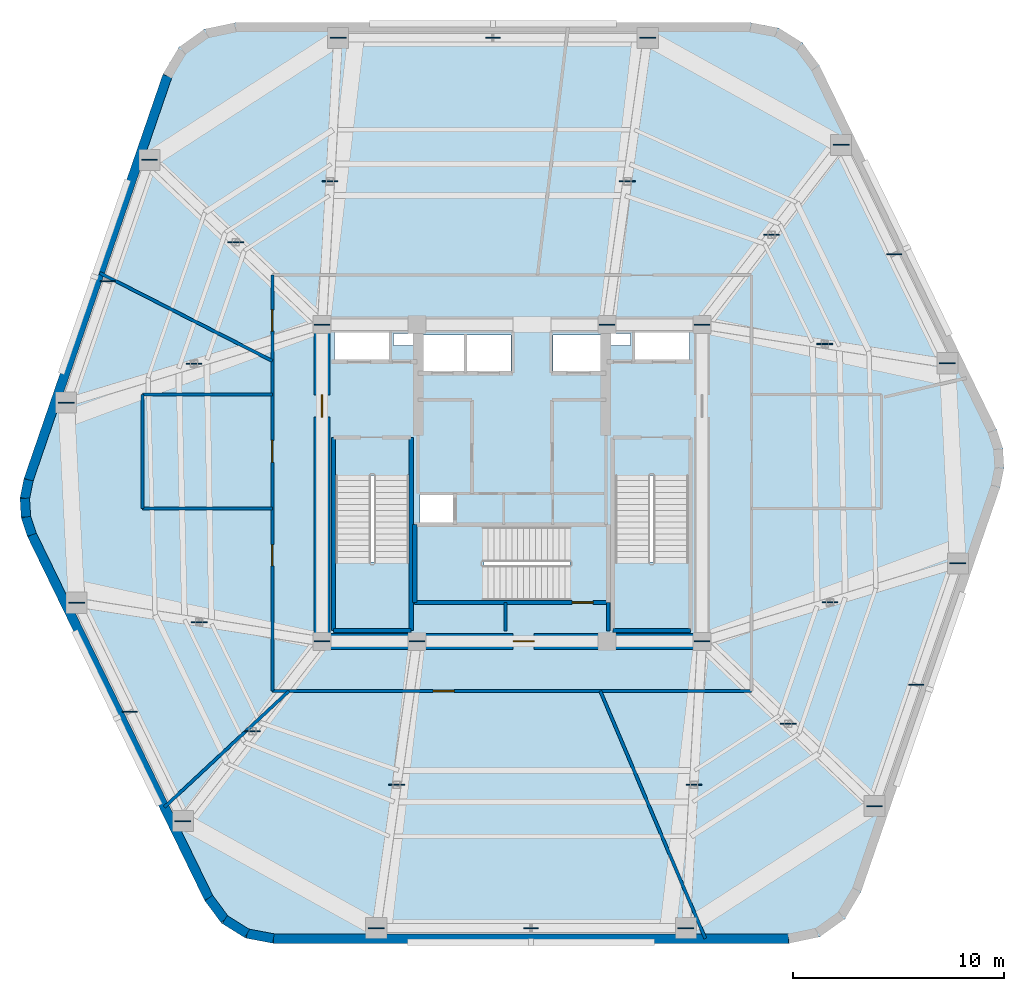
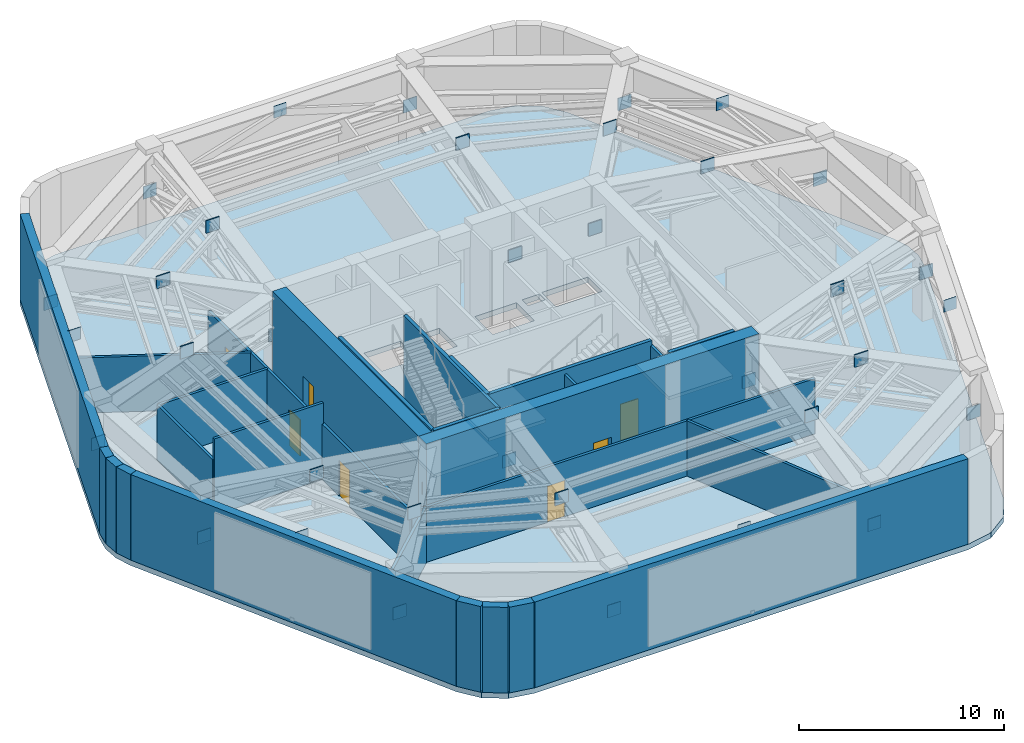
# One storey, part 5 of 10: 36 plates, 27 walls, 7 doors, 4 slabs, 7 openings, 3 elements without a shape of their own.
"""IFC4 building model written with IfcOpenShell, lengths in metres."""

import ifcopenshell
import ifcopenshell.guid

model = None  # the IFC model being written
_history = None  # IfcOwnerHistory: only IFC2X3 demands one
_inside = {}  # id of a spatial element -> (the spatial element, [elements in it])
_under = {}  # id of a project, library or spatial element -> (it, [spatial elements below it])
_declared = {}  # id of a project -> (the project, [libraries it declares])
_typed = {}  # id of a type object -> (the type object, [elements of that type])
_made_of = {}  # id of a material, layer set ... -> (it, [elements and type objects made of it])


def new_model(schema):
    """Start an empty IFC model of exactly this schema.

    Asked for "IFC4X3", IfcOpenShell would pick the latest addendum, in which some entities
    have other attributes; the version numbers below select the first issue.
    IFC2X3 requires an IfcOwnerHistory on every rooted entity: one is made here for all.
    """
    global model, _history
    if schema == "IFC4X3":
        model = ifcopenshell.file(schema_version=(4, 3, 0, 0))
    else:
        model = ifcopenshell.file(schema=schema)
    _inside.clear()
    _under.clear()
    _declared.clear()
    _typed.clear()
    _made_of.clear()
    _history = None
    if model.schema == "IFC2X3":
        org = make("IfcOrganization", Name="unknown")
        user = make(
            "IfcPersonAndOrganization",
            ThePerson=make("IfcPerson", FamilyName="unknown"),
            TheOrganization=org,
        )
        app = make(
            "IfcApplication",
            ApplicationDeveloper=org,
            Version="unknown",
            ApplicationFullName="unknown",
            ApplicationIdentifier="unknown",
        )
        _history = make(
            "IfcOwnerHistory",
            OwningUser=user,
            OwningApplication=app,
            ChangeAction="ADDED",
            CreationDate=0,
        )
    return model


def make(cls, **values):
    """One entity of the class cls with the attributes given. An attribute that is None is left unset."""
    return model.create_entity(
        cls, **{name: value for name, value in values.items() if value is not None}
    )


def rooted(cls, **values):
    """An entity with a GlobalId (a new one), such as an element, a storey or a relation."""
    return make(cls, GlobalId=ifcopenshell.guid.new(), OwnerHistory=_history, **values)


def si_unit(unit_type, name, prefix=None):
    """IfcSIUnit, for example si_unit("LENGTHUNIT", "METRE", prefix="MILLI")."""
    return make("IfcSIUnit", UnitType=unit_type, Prefix=prefix, Name=name)


def assignment(units):
    """IfcUnitAssignment: the units of a project."""
    return None if units is None else make("IfcUnitAssignment", Units=units)


def point(xyz):
    """IfcCartesianPoint."""
    return None if xyz is None else make("IfcCartesianPoint", Coordinates=xyz)


def direction(xyz):
    """IfcDirection."""
    return None if xyz is None else make("IfcDirection", DirectionRatios=xyz)


def frame(location, z_axis=None, x_axis=None):
    """IfcAxis2Placement3D, a coordinate frame: its origin and axes. An axis left out is left unset."""
    return make(
        "IfcAxis2Placement3D",
        Location=point(location),
        Axis=direction(z_axis),
        RefDirection=direction(x_axis),
    )


def frame_2d(location, x_axis=None):
    """IfcAxis2Placement2D, a coordinate frame in the plane: its origin and x axis."""
    return make(
        "IfcAxis2Placement2D", Location=point(location), RefDirection=direction(x_axis)
    )


def origin():
    """The frame at (0, 0, 0) with its axes left unset."""
    return frame((0.0, 0.0, 0.0))


def origin_2d():
    """The frame at (0, 0) in the plane with its x axis left unset."""
    return frame_2d((0.0, 0.0))


def place(relative_to, where):
    """IfcLocalPlacement: puts the frame where relative to a parent placement (None: the world)."""
    return make(
        "IfcLocalPlacement", PlacementRelTo=relative_to, RelativePlacement=where
    )


def context(
    kind, dimensions, precision=None, world=None, true_north=None, identifier=None
):
    """IfcGeometricRepresentationContext, for example the 3D "Model" context."""
    return make(
        "IfcGeometricRepresentationContext",
        ContextIdentifier=identifier,
        ContextType=kind,
        CoordinateSpaceDimension=dimensions,
        Precision=precision,
        WorldCoordinateSystem=world,
        TrueNorth=true_north,
    )


def subcontext(parent, identifier, kind, view, scale=None):
    """IfcGeometricRepresentationSubContext, for example "Body" below "Model"."""
    return make(
        "IfcGeometricRepresentationSubContext",
        ContextIdentifier=identifier,
        ContextType=kind,
        ParentContext=parent,
        TargetScale=scale,
        TargetView=view,
    )


def project(units=None, contexts=None):
    """IfcProject with its units and contexts."""
    return rooted(
        "IfcProject",
        Name="project",
        RepresentationContexts=contexts,
        UnitsInContext=assignment(units),
    )


def spatial(cls, under=None, at=None, **own):
    """A site, building, storey or space (cls), placed at a placement, below another one or the project."""
    s = rooted(cls, ObjectPlacement=at, **own)
    if under is not None:
        _under.setdefault(under.id(), (under, []))[1].append(s)
    return s


def polyline(points):
    """IfcPolyline through the points."""
    return make("IfcPolyline", Points=[point(p) for p in points])


def profile(cls, at=None, kind="AREA", **sizes):
    """A parametric profile (cls). Its sizes go by their IFC names, for example OverallWidth=200.0."""
    return make(cls, ProfileType=kind, Position=at, **sizes)


def rectangle(**sizes):
    """IfcRectangleProfileDef."""
    return profile("IfcRectangleProfileDef", **sizes)


def outline(outer, holes=None, kind="AREA"):
    """IfcArbitraryClosedProfileDef: a profile drawn as a closed curve; with holes, ...WithVoids."""
    if holes is None:
        return make("IfcArbitraryClosedProfileDef", ProfileType=kind, OuterCurve=outer)
    return make(
        "IfcArbitraryProfileDefWithVoids",
        ProfileType=kind,
        OuterCurve=outer,
        InnerCurves=holes,
    )


def extrude(swept, where, along, depth):
    """IfcExtrudedAreaSolid: the profile swept, set in the frame where, extruded along a direction by depth."""
    return make(
        "IfcExtrudedAreaSolid",
        SweptArea=swept,
        Position=where,
        ExtrudedDirection=direction(along),
        Depth=depth,
    )


def shape(context_of_items, identifier, shape_type, items):
    """IfcShapeRepresentation: the items that make up one representation, for example the "Body"."""
    return make(
        "IfcShapeRepresentation",
        ContextOfItems=context_of_items,
        RepresentationIdentifier=identifier,
        RepresentationType=shape_type,
        Items=items,
    )


def material(Name=None, Category=None):
    """IfcMaterial."""
    return make("IfcMaterial", Name=Name, Category=Category)


def layer(
    of_material, thickness, ventilated=None, Name=None, Category=None, Priority=None
):
    """IfcMaterialLayer: one layer of a wall or slab, of a material (None: an air gap)."""
    return make(
        "IfcMaterialLayer",
        Material=of_material,
        LayerThickness=thickness,
        IsVentilated=ventilated,
        Name=Name,
        Category=Category,
        Priority=Priority,
    )


def layer_set(layers, Name=None):
    """IfcMaterialLayerSet."""
    return make("IfcMaterialLayerSet", MaterialLayers=layers, LayerSetName=Name)


def made_of(thing, what):
    """Note that an element or type object is made of a material, layer set ...; save() writes the relation."""
    if what is not None:
        _made_of.setdefault(what.id(), (what, []))[1].append(thing)
    return thing


def type_object(cls, material=None, **own):
    """A type object (cls), such as IfcWallType, which elements share."""
    return made_of(rooted(cls, **own), material)


def element(
    cls,
    number,
    at=None,
    inside=None,
    cuts=None,
    type_object=None,
    material=None,
    context=None,
    identifier="Body",
    shape_type=None,
    held_by="IfcProductDefinitionShape",
    body=None,
    shapes=None,
    **own,
):
    """One element of the class cls, such as IfcWall. Its Tag is "e" and its number.

    at: its placement. inside: the storey or other place that contains it. cuts: it is an
    opening in that element (IfcRelVoidsElement). A single representation is given by context,
    identifier, shape_type and body (its items); several are given by shapes. held_by: the class
    of the entity that holds the representations. save() writes the other relations.
    """
    e = rooted(cls, Tag="e%d" % number, ObjectPlacement=at, **own)
    if body is not None:
        shapes = [shape(context, identifier, shape_type, body)]
    if shapes is not None:
        e.Representation = make(held_by, Representations=shapes)
    if inside is not None:
        _inside.setdefault(inside.id(), (inside, []))[1].append(e)
    if cuts is not None:
        rooted(
            "IfcRelVoidsElement", RelatingBuildingElement=cuts, RelatedOpeningElement=e
        )
    if type_object is not None:
        _typed.setdefault(type_object.id(), (type_object, []))[1].append(e)
    return made_of(e, material)


def fill(opening, filler):
    """IfcRelFillsElement: the door or window that sits in an opening."""
    return rooted(
        "IfcRelFillsElement",
        RelatingOpeningElement=opening,
        RelatedBuildingElement=filler,
    )


def aggregate(whole, parts):
    """IfcRelAggregates: a whole, such as a stair, and the parts it consists of."""
    return rooted("IfcRelAggregates", RelatingObject=whole, RelatedObjects=parts)


def save(model, path):
    """Write the relations noted so far, then the file.

    IfcRelAggregates (storeys below a building ...), IfcRelContainedInSpatialStructure (elements
    in a storey), IfcRelDefinesByType, IfcRelAssociatesMaterial and IfcRelDeclares: one each for
    every whole, place, type object, material and project.
    """
    for whole, parts in _under.values():
        aggregate(whole, parts)
    for where, things in _inside.values():
        rooted(
            "IfcRelContainedInSpatialStructure",
            RelatedElements=things,
            RelatingStructure=where,
        )
    for kind, things in _typed.values():
        rooted("IfcRelDefinesByType", RelatedObjects=things, RelatingType=kind)
    for what, things in _made_of.values():
        rooted("IfcRelAssociatesMaterial", RelatedObjects=things, RelatingMaterial=what)
    for by, libraries in _declared.values():
        rooted("IfcRelDeclares", RelatingContext=by, RelatedDefinitions=libraries)
    model.write(path)


model = new_model("IFC4")

# Units and contexts
model_context = context("Model", 3, precision=1e-05, world=origin(), true_north=direction((0.0, 1.0)))
body_context = subcontext(model_context, "Body", "Model", "MODEL_VIEW")
ifc_project = project(units=[si_unit("LENGTHUNIT", "METRE"), si_unit("AREAUNIT", "SQUARE_METRE"), si_unit("VOLUMEUNIT", "CUBIC_METRE"), si_unit("PLANEANGLEUNIT", "RADIAN"), si_unit("MASSUNIT", "GRAM", prefix="KILO")], contexts=[model_context])

# Site, building, storey
site_placement = place(None, origin())
site = spatial("IfcSite", under=ifc_project, at=site_placement, CompositionType="ELEMENT")
building_placement = place(site_placement, origin())
building = spatial("IfcBuilding", under=site, at=building_placement, Name="Kilnhurst Terrace Hotel", CompositionType="ELEMENT")
storey_placement = place(building_placement, frame((0.0, 0.0, 255.89990234375)))
storey = spatial("IfcBuildingStorey", under=building, at=storey_placement, Name="L64", CompositionType="ELEMENT", Elevation=255.89990234375)

# Plates
ifc_material_1 = material(Name="Steel ASTM A572 Grade 50", Category="steel")
ifc_layer_1 = layer(ifc_material_1, 0.050048828125, Name="Steel ASTM A572 Grade 50")
ifc_layer_set_1 = layer_set([ifc_layer_1], Name="Steel ASTM A572 Grade 50")
plate_type = type_object("IfcPlateType", Name="PLT-GUSSET-50", PredefinedType="USERDEFINED", material=ifc_layer_set_1)
for number, where, z_axis, x_axis, name in (
    (1, (-4.5, -7.5, 2.14501953125), (0.0, 0.0, 1.0), (1.0, 0.0, 0.0), "L64 Outrigger Node Gusset Plate KN-CORE-1"),
    (2, (-5.465087890625, -14.2900390625, 4.375), (0.0, 0.0, 1.0), (1.0, 0.0, 0.0), "L64 Outrigger Node Gusset Plate KN-MID-1"),
    (3, (-6.429931640625, -21.080078125, 2.14501953125), (0.0, 0.0, 1.0), (1.0, 0.0, 0.0), "L64 Outrigger Node Gusset Plate KN-PERIM-1"),
    (4, (9.0, -7.5, 2.14501953125), (0.0, 0.0, 1.0), (1.0, 0.0, 0.0), "L64 Outrigger Node Gusset Plate KN-CORE-2"),
    (5, (8.617919921875, -14.2900390625, 4.375), (0.0, 0.0, 1.0), (1.0, 0.0, 0.0), "L64 Outrigger Node Gusset Plate KN-MID-2"),
    (6, (8.236083984375, -21.080078125, 2.14501953125), (0.0, 0.0, 1.0), (1.0, 0.0, 0.0), "L64 Outrigger Node Gusset Plate KN-PERIM-2"),
    (7, (13.0830078125, -11.402099609375, 4.375), (0.0, 0.0, 1.0), (1.0, 0.0, 0.0), "L64 Outrigger Node Gusset Plate KN-MID-3"),
    (8, (17.166015625, -15.303955078125, 2.14501953125), (0.0, 0.0, 1.0), (1.0, 0.0, 0.0), "L64 Outrigger Node Gusset Plate KN-PERIM-3"),
    (9, (15.05908203125, -5.654052734375, 4.375), (0.0, 0.0, 1.0), (1.0, 0.0, 0.0), "L64 Outrigger Node Gusset Plate KN-MID-4"),
    (10, (21.117919921875, -3.806884765625, 2.14501953125), (0.0, 0.0, 1.0), (1.0, 0.0, 0.0), "L64 Outrigger Node Gusset Plate KN-PERIM-4"),
    (11, (9.0, 7.5, 2.14501953125), (0.0, 0.0, 1.0), (1.0, 0.0, 0.0), "L64 Outrigger Node Gusset Plate KN-CORE-5"),
    (12, (14.81103515625, 6.5849609375, 4.375), (0.0, 0.0, 1.0), (1.0, 0.0, 0.0), "L64 Outrigger Node Gusset Plate KN-MID-5"),
    (13, (20.6220703125, 5.669921875, 2.14501953125), (0.0, 0.0, 1.0), (1.0, 0.0, 0.0), "L64 Outrigger Node Gusset Plate KN-PERIM-5"),
    (14, (12.29296875, 11.757080078125, 4.375), (0.0, 0.0, 1.0), (1.0, 0.0, 0.0), "L64 Outrigger Node Gusset Plate KN-MID-6"),
    (15, (15.5869140625, 16.012939453125, 2.14501953125), (0.0, 0.0, 1.0), (1.0, 0.0, 0.0), "L64 Outrigger Node Gusset Plate KN-PERIM-6"),
    (16, (4.5, 7.5, 2.14501953125), (0.0, 0.0, 1.0), (1.0, 0.0, 0.0), "L64 Outrigger Node Gusset Plate KN-CORE-7"),
    (17, (5.465087890625, 14.2900390625, 4.375), (0.0, 0.0, 1.0), (1.0, 0.0, 0.0), "L64 Outrigger Node Gusset Plate KN-MID-7"),
    (18, (6.429931640625, 21.080078125, 2.14501953125), (0.0, 0.0, 1.0), (1.0, 0.0, 0.0), "L64 Outrigger Node Gusset Plate KN-PERIM-7"),
    (19, (-9.0, 7.5, 2.14501953125), (0.0, 0.0, 1.0), (1.0, 0.0, 0.0), "L64 Outrigger Node Gusset Plate KN-CORE-8"),
    (20, (-8.617919921875, 14.2900390625, 4.375), (0.0, 0.0, 1.0), (1.0, 0.0, 0.0), "L64 Outrigger Node Gusset Plate KN-MID-8"),
    (21, (-8.236083984375, 21.080078125, 2.14501953125), (0.0, 0.0, 1.0), (1.0, 0.0, 0.0), "L64 Outrigger Node Gusset Plate KN-PERIM-8"),
    (22, (-13.0830078125, 11.402099609375, 4.375), (0.0, 0.0, 1.0), (1.0, 0.0, 0.0), "L64 Outrigger Node Gusset Plate KN-MID-9"),
    (23, (-17.166015625, 15.303955078125, 2.14501953125), (0.0, 0.0, 1.0), (1.0, 0.0, 0.0), "L64 Outrigger Node Gusset Plate KN-PERIM-9"),
    (24, (-15.05908203125, 5.654052734375, 4.375), (0.0, 0.0, 1.0), (1.0, 0.0, 0.0), "L64 Outrigger Node Gusset Plate KN-MID-10"),
    (25, (-21.117919921875, 3.806884765625, 2.14501953125), (0.0, 0.0, 1.0), (1.0, 0.0, 0.0), "L64 Outrigger Node Gusset Plate KN-PERIM-10"),
    (26, (-9.0, -7.5, 2.14501953125), (0.0, 0.0, 1.0), (1.0, 0.0, 0.0), "L64 Outrigger Node Gusset Plate KN-CORE-11"),
    (27, (-14.81103515625, -6.5849609375, 4.375), (0.0, 0.0, 1.0), (1.0, 0.0, 0.0), "L64 Outrigger Node Gusset Plate KN-MID-11"),
    (28, (-20.6220703125, -5.669921875, 2.14501953125), (0.0, 0.0, 1.0), (1.0, 0.0, 0.0), "L64 Outrigger Node Gusset Plate KN-PERIM-11"),
    (29, (-12.29296875, -11.757080078125, 4.375), (0.0, 0.0, 1.0), (1.0, 0.0, 0.0), "L64 Outrigger Node Gusset Plate KN-MID-12"),
    (30, (-15.5869140625, -16.012939453125, 2.14501953125), (0.0, 0.0, 1.0), (1.0, 0.0, 0.0), "L64 Outrigger Node Gusset Plate KN-PERIM-12"),
):
    element("IfcPlate", number, at=place(storey_placement, frame(where, z_axis=z_axis, x_axis=x_axis)), inside=storey, type_object=plate_type, Name=name, ObjectType="GUSSET_PLATE", PredefinedType="USERDEFINED", context=body_context, shape_type="SweptSolid", body=[
        extrude(rectangle(XDim=0.75, YDim=0.050048828125, at=origin_2d()), origin(), (0.0, 0.0, 1.0), 0.75),
    ])
for number, where, z_axis, x_axis, name in (
    (31, (0.903076171875, -21.080078125, 4.39990234375), (0.0, 0.0, 1.0), (1.0, 0.0, 0.0), "L64 Belt Truss Apex Gusset Plate 1"),
    (32, (19.14208984375, -9.555908203125, 4.39990234375), (0.0, 0.0, 1.0), (1.0, 0.0, 0.0), "L64 Belt Truss Apex Gusset Plate 2"),
    (33, (18.10498046875, 10.841064453125, 4.39990234375), (0.0, 0.0, 1.0), (1.0, 0.0, 0.0), "L64 Belt Truss Apex Gusset Plate 3"),
    (34, (-0.903076171875, 21.080078125, 4.39990234375), (0.0, 0.0, 1.0), (1.0, 0.0, 0.0), "L64 Belt Truss Apex Gusset Plate 4"),
    (35, (-19.14208984375, 9.555908203125, 4.39990234375), (0.0, 0.0, 1.0), (1.0, 0.0, 0.0), "L64 Belt Truss Apex Gusset Plate 5"),
    (36, (-18.10498046875, -10.841064453125, 4.39990234375), (0.0, 0.0, 1.0), (1.0, 0.0, 0.0), "L64 Belt Truss Apex Gusset Plate 6"),
):
    element("IfcPlate", number, at=place(storey_placement, frame(where, z_axis=z_axis, x_axis=x_axis)), inside=storey, type_object=plate_type, Name=name, ObjectType="GUSSET_PLATE", PredefinedType="USERDEFINED", context=body_context, shape_type="SweptSolid", body=[
        extrude(rectangle(XDim=0.699951171875, YDim=0.050048828125, at=origin_2d()), origin(), (0.0, 0.0, 1.0), 0.699951171875),
    ])

# Slab
ifc_material_2 = material(Name="Concrete C50/60", Category="concrete")
ifc_layer_2 = layer(ifc_material_2, 0.320068359375, Name="Concrete C50/60")
ifc_layer_set_2 = layer_set([ifc_layer_2], Name="Concrete C50/60")
slab_type_1 = type_object("IfcSlabType", Name="SLB-FLR-320", PredefinedType="FLOOR", material=ifc_layer_set_2)
slab_1_placement = place(storey_placement, frame((0.0, 0.0, -0.31982421875)))
element("IfcSlab", 37, at=slab_1_placement, inside=storey, type_object=slab_type_1, Name="L64 Structural Floor Slab", PredefinedType="FLOOR", context=body_context, shape_type="SweptSolid", body=[
    extrude(outline(polyline([(-14.555419921875, -19.77587890625), (-13.759765625, -20.845947265625), (-12.629150390625, -21.552978515625), (-11.318603515625, -21.800048828125), (13.124755859375, -21.800048828125), (14.5703125, -21.4970703125), (15.772705078125, -20.638916015625), (16.529296875, -19.370361328125), (23.1162109375, -0.208740234375), (23.302978515625, 0.710693359375), (23.24560546875, 1.6474609375), (22.948486328125, 2.537353515625), (14.555419921875, 19.77587890625), (13.759765625, 20.845947265625), (12.629150390625, 21.552978515625), (11.318603515625, 21.800048828125), (-13.124755859375, 21.800048828125), (-14.5703125, 21.4970703125), (-15.772705078125, 20.638916015625), (-16.529296875, 19.370361328125), (-23.1162109375, 0.208740234375), (-23.302978515625, -0.710693359375), (-23.24560546875, -1.6474609375), (-22.948486328125, -2.537353515625), (-14.555419921875, -19.77587890625)]), holes=[polyline([(-8.35009765625, 0.35498046875), (-4.8798828125, 0.35498046875), (-4.8798828125, -6.89990234375), (-8.35009765625, -6.89990234375), (-8.35009765625, 0.35498046875)]), polyline([(-2.800048828125, -1.89990234375), (-4.35009765625, -1.89990234375), (-4.35009765625, -0.550048828125), (-2.800048828125, -0.550048828125), (-2.800048828125, -1.89990234375)]), polyline([(-2.25, 5.25), (-4.300048828125, 5.25), (-4.300048828125, 7.0), (-2.25, 7.0), (-2.25, 5.25)]), polyline([(-2.1201171875, 5.25), (-2.1201171875, 7.0), (-0.050048828125, 7.0), (-0.050048828125, 5.25), (-2.1201171875, 5.25)]), polyline([(-8.39990234375, 5.75), (-8.39990234375, 7.14990234375), (-5.800048828125, 7.14990234375), (-5.800048828125, 5.75), (-8.39990234375, 5.75)]), polyline([(-4.659912109375, 6.52001953125), (-5.6201171875, 6.52001953125), (-5.6201171875, 7.080078125), (-4.659912109375, 7.080078125), (-4.659912109375, 6.52001953125)]), polyline([(2.7548828125, -5.550048828125), (-4.5, -5.550048828125), (-4.5, -2.080078125), (2.7548828125, -2.080078125), (2.7548828125, -5.550048828125)]), polyline([(8.35009765625, 0.35498046875), (8.35009765625, -6.89990234375), (4.8798828125, -6.89990234375), (4.8798828125, 0.35498046875), (8.35009765625, 0.35498046875)]), polyline([(4.300048828125, 5.25), (1.949951171875, 5.25), (1.949951171875, 7.0), (4.300048828125, 7.0), (4.300048828125, 5.25)]), polyline([(5.800048828125, 5.75), (5.800048828125, 7.14990234375), (8.39990234375, 7.14990234375), (8.39990234375, 5.75), (5.800048828125, 5.75)]), polyline([(4.659912109375, 6.52001953125), (4.659912109375, 7.080078125), (5.6201171875, 7.080078125), (5.6201171875, 6.52001953125), (4.659912109375, 6.52001953125)])]), origin(), (0.0, 0.0, 1.0), 0.31982421875),
])

# Stair, slab
stair_type = type_object("IfcStairType", Name="STR-CORE-1660", PredefinedType="HALF_TURN_STAIR", material=ifc_material_2)
stair_1_placement = place(storey_placement, origin())
stair_1 = element("IfcStair", 38, at=stair_1_placement, inside=storey, type_object=stair_type, Name="L64 ST-1", PredefinedType="HALF_TURN_STAIR")
ifc_layer_3 = layer(ifc_material_2, 0.199951171875, Name="Concrete C50/60")
ifc_layer_set_3 = layer_set([ifc_layer_3], Name="Concrete C50/60")
slab_type_2 = type_object("IfcSlabType", Name="SLB-ST-LND-200", PredefinedType="LANDING", material=ifc_layer_set_3)
slab_2_placement = place(storey_placement, frame((0.0, 0.0, 2.5)))
slab_2 = element("IfcSlab", 39, at=slab_2_placement, type_object=slab_type_2, Name="ST-1 landing 1", PredefinedType="LANDING", context=body_context, shape_type="SweptSolid", body=[
    extrude(outline(polyline([(-8.429931640625, -3.72998046875), (-4.800048828125, -3.72998046875), (-4.800048828125, -6.97998046875), (-8.429931640625, -6.97998046875), (-8.429931640625, -3.72998046875)])), origin(), (0.0, 0.0, 1.0), 0.2001953125),
])
aggregate(stair_1, [slab_2])

stair_2_placement = place(storey_placement, origin())
stair_2 = element("IfcStair", 40, at=stair_2_placement, inside=storey, type_object=stair_type, Name="L64 ST-2", PredefinedType="HALF_TURN_STAIR")
slab_3_placement = place(storey_placement, frame((0.0, 0.0, 2.5)))
slab_3 = element("IfcSlab", 41, at=slab_3_placement, type_object=slab_type_2, Name="ST-2 landing 1", PredefinedType="LANDING", context=body_context, shape_type="SweptSolid", body=[
    extrude(outline(polyline([(4.800048828125, -3.72998046875), (8.429931640625, -3.72998046875), (8.429931640625, -6.97998046875), (4.800048828125, -6.97998046875), (4.800048828125, -3.72998046875)])), origin(), (0.0, 0.0, 1.0), 0.2001953125),
])
aggregate(stair_2, [slab_3])

stair_3_placement = place(storey_placement, origin())
stair_3 = element("IfcStair", 42, at=stair_3_placement, inside=storey, type_object=stair_type, Name="L64 ST-3", PredefinedType="HALF_TURN_STAIR")
slab_4_placement = place(storey_placement, frame((0.0, 0.0, 2.5)))
slab_4 = element("IfcSlab", 43, at=slab_4_placement, type_object=slab_type_2, Name="ST-3 landing 1", PredefinedType="LANDING", context=body_context, shape_type="SweptSolid", body=[
    extrude(outline(polyline([(-1.330078125, -2.0), (-1.330078125, -5.6298828125), (-4.580078125, -5.6298828125), (-4.580078125, -2.0), (-1.330078125, -2.0)])), origin(), (0.0, 0.0, 1.0), 0.2001953125),
])
aggregate(stair_3, [slab_4])

# Walls
ifc_material_3 = material(Name="Precast concrete C40/50", Category="concrete")
ifc_layer_4 = layer(ifc_material_3, 0.449951171875, Name="Precast concrete C40/50")
ifc_layer_set_4 = layer_set([ifc_layer_4], Name="Precast concrete C40/50")
wall_type_1 = type_object("IfcWallType", Name="WL-BRK-450", PredefinedType="SOLIDWALL", material=ifc_layer_set_4)
wall_1_placement = place(storey_placement, frame((-14.3623046875, -19.658447265625, 0.0), z_axis=(0.0, 0.0, 1.0), x_axis=(0.596642462792, -0.80250717853, 0.0)))
element("IfcWall", 44, at=wall_1_placement, inside=storey, type_object=wall_type_1, Name="L64 Rounded Corner Brick Wall C1.1", PredefinedType="SOLIDWALL", context=body_context, shape_type="SweptSolid", body=[
    extrude(rectangle(XDim=1.27001953125, YDim=0.449951171875, at=frame_2d((0.635009765625, 0.0))), origin(), (0.0, 0.0, 1.0), 5.10009765625),
])
wall_2_placement = place(storey_placement, frame((-13.6044921875, -20.677734375, 0.0), z_axis=(0.0, 0.0, 1.0), x_axis=(0.847910404124, -0.53013955387, 0.0)))
element("IfcWall", 45, at=wall_2_placement, inside=storey, type_object=wall_type_1, Name="L64 Rounded Corner Brick Wall C1.2", PredefinedType="SOLIDWALL", context=body_context, shape_type="SweptSolid", body=[
    extrude(rectangle(XDim=1.24853515625, YDim=0.449951171875, at=frame_2d((0.624267578125, 0.0))), origin(), (0.0, 0.0, 1.0), 5.10009765625),
])
wall_3_placement = place(storey_placement, frame((-12.5458984375, -21.339599609375, 0.0), z_axis=(0.0, 0.0, 1.0), x_axis=(0.982686750835, -0.18527479519, 0.0)))
element("IfcWall", 46, at=wall_3_placement, inside=storey, type_object=wall_type_1, Name="L64 Rounded Corner Brick Wall C1.3", PredefinedType="SOLIDWALL", context=body_context, shape_type="SweptSolid", body=[
    extrude(rectangle(XDim=1.270263671875, YDim=0.449951171875, at=frame_2d((0.63525390625, 0.0))), origin(), (0.0, 0.0, 1.0), 5.10009765625),
])
wall_4_placement = place(storey_placement, frame((-22.8984375, 0.149658203125, 0.0), z_axis=(0.0, 0.0, 1.0), x_axis=(-0.199055826889, -0.979988151858, 0.0)))
element("IfcWall", 47, at=wall_4_placement, inside=storey, type_object=wall_type_1, Name="L64 Rounded Corner Brick Wall C6.1", PredefinedType="SOLIDWALL", context=body_context, shape_type="SweptSolid", body=[
    extrude(rectangle(XDim=0.89404296875, YDim=0.449951171875, at=frame_2d((0.447021484375, 0.0))), origin(), (0.0, 0.0, 1.0), 5.10009765625),
])
wall_5_placement = place(storey_placement, frame((-23.076416015625, -0.7265625, 0.0), z_axis=(0.0, 0.0, 1.0), x_axis=(0.060805222108, -0.998149650586, 0.0)))
element("IfcWall", 48, at=wall_5_placement, inside=storey, type_object=wall_type_1, Name="L64 Rounded Corner Brick Wall C6.2", PredefinedType="SOLIDWALL", context=body_context, shape_type="SweptSolid", body=[
    extrude(rectangle(XDim=0.87939453125, YDim=0.449951171875, at=frame_2d((0.439697265625, 0.0))), origin(), (0.0, 0.0, 1.0), 5.10009765625),
])
wall_6_placement = place(storey_placement, frame((-23.02294921875, -1.604248046875, 0.0), z_axis=(0.0, 0.0, 1.0), x_axis=(0.316801227695, -0.948491951537, 0.0)))
element("IfcWall", 49, at=wall_6_placement, inside=storey, type_object=wall_type_1, Name="L64 Rounded Corner Brick Wall C6.3", PredefinedType="SOLIDWALL", context=body_context, shape_type="SweptSolid", body=[
    extrude(rectangle(XDim=0.89404296875, YDim=0.449951171875, at=frame_2d((0.447021484375, 0.0))), origin(), (0.0, 0.0, 1.0), 5.10009765625),
])
wall_7_placement = place(storey_placement, frame((-11.297607421875, -21.574951171875, 0.0), z_axis=(0.0, 0.0, 1.0), x_axis=(1.0, 0.0, 0.0)))
element("IfcWall", 50, at=wall_7_placement, inside=storey, type_object=wall_type_1, Name="L64 Exterior Brick Facade Wall F1", PredefinedType="SOLIDWALL", context=body_context, shape_type="SweptSolid", body=[
    extrude(rectangle(XDim=24.399169921875, YDim=0.449951171875, at=frame_2d((12.19970703125, 0.0))), origin(), (0.0, 0.0, 1.0), 5.10009765625),
])
wall_8_placement = place(storey_placement, frame((-16.323974609375, 19.275146484375, 0.0), z_axis=(0.0, 0.0, 1.0), x_axis=(-0.325083142304, -0.945685439557, 0.0)))
element("IfcWall", 51, at=wall_8_placement, inside=storey, type_object=wall_type_1, Name="L64 Exterior Brick Facade Wall F5", PredefinedType="SOLIDWALL", context=body_context, shape_type="SweptSolid", body=[
    extrude(rectangle(XDim=20.223876953125, YDim=0.449951171875, at=frame_2d((10.11181640625, 0.0))), origin(), (0.0, 0.0, 1.0), 5.10009765625),
])
wall_9_placement = place(storey_placement, frame((-22.73974609375, -2.4521484375, 0.0), z_axis=(0.0, 0.0, 1.0), x_axis=(0.437753424814, -0.899095066755, 0.0)))
element("IfcWall", 52, at=wall_9_placement, inside=storey, type_object=wall_type_1, Name="L64 Exterior Brick Facade Wall F6", PredefinedType="SOLIDWALL", context=body_context, shape_type="SweptSolid", body=[
    extrude(rectangle(XDim=19.137451171875, YDim=0.449951171875, at=frame_2d((9.56884765625, 0.0))), origin(), (0.0, 0.0, 1.0), 5.10009765625),
])

# Wall, openings, doors
ifc_material_4 = material(Name="Acoustic Double-Gypsum Corridor Partition Assembly")
ifc_layer_5 = layer(ifc_material_4, 0.14990234375, Name="Acoustic Double-Gypsum Corridor Partition Assembly")
ifc_layer_set_5 = layer_set([ifc_layer_5], Name="Acoustic Double-Gypsum Corridor Partition Assembly")
wall_type_2 = type_object("IfcWallType", Name="WL-COR-150", PredefinedType="PARTITIONING", material=ifc_layer_set_5)
wall_10_placement = place(storey_placement, frame((-11.35009765625, -9.85009765625, 0.0), z_axis=(0.0, 0.0, 1.0), x_axis=(0.0, 1.0, 0.0)))
wall_10 = element("IfcWall", 53, at=wall_10_placement, inside=storey, type_object=wall_type_2, Name="L64 Interior Wall WL-L64-COR-01", PredefinedType="PARTITIONING", context=body_context, shape_type="SweptSolid", body=[
    extrude(rectangle(XDim=19.7001953125, YDim=0.14990234375, at=frame_2d((9.85009765625, 0.0))), origin(), (0.0, 0.0, 1.0), 3.2900390625),
])
opening_1_placement = place(wall_10_placement, frame((10.824951171875, 0.0, 0.0)))
opening_1 = element("IfcOpeningElement", 54, at=opening_1_placement, cuts=wall_10, Name="Opening D-90A", PredefinedType="OPENING", context=body_context, shape_type="SweptSolid", body=[
    extrude(rectangle(XDim=1.050048828125, YDim=2.14990234375, at=frame_2d((0.52490234375, 1.074951171875))), frame((0.0, 0.0849609375, 0.0), z_axis=(0.0, -1.0, 0.0), x_axis=(1.0, 0.0, 0.0)), (0.0, 0.0, 1.0), 0.169921875),
])
opening_2_placement = place(wall_10_placement, frame((17.047119140625, 0.0, 0.0)))
opening_2 = element("IfcOpeningElement", 55, at=opening_2_placement, cuts=wall_10, Name="Opening D-90B", PredefinedType="OPENING", context=body_context, shape_type="SweptSolid", body=[
    extrude(rectangle(XDim=1.0, YDim=2.14990234375, at=frame_2d((0.5, 1.074951171875))), frame((0.0, 0.0849609375, 0.0), z_axis=(0.0, -1.0, 0.0), x_axis=(1.0, 0.0, 0.0)), (0.0, 0.0, 1.0), 0.169921875),
])
opening_3_placement = place(wall_10_placement, frame((5.928955078125, 0.0, 0.0)))
opening_3 = element("IfcOpeningElement", 56, at=opening_3_placement, cuts=wall_10, Name="Opening D-90B", PredefinedType="OPENING", context=body_context, shape_type="SweptSolid", body=[
    extrude(rectangle(XDim=1.0, YDim=2.14990234375, at=frame_2d((0.5, 1.074951171875))), frame((0.0, 0.0849609375, 0.0), z_axis=(0.0, -1.0, 0.0), x_axis=(1.0, 0.0, 0.0)), (0.0, 0.0, 1.0), 0.169921875),
])
ifc_material_5 = material(Name="Painted Hollow Metal Steel ASTM A36 Fire Door", Category="steel")
door_type_1 = type_object("IfcDoorType", Name="DR-FD90-1000", OperationType="NOTDEFINED", PredefinedType="DOOR", material=ifc_material_5)
door_1_placement = place(opening_2_placement, origin())
door_1 = element("IfcDoor", 57, at=door_1_placement, inside=storey, type_object=door_type_1, Name="L64 Air Handling and Smoke Control Mechanical Room Door", OperationType="SINGLE_SWING_RIGHT", OverallHeight=2.14990234375, OverallWidth=1.0, PredefinedType="DOOR", context=body_context, shape_type="SweptSolid", body=[
    extrude(rectangle(XDim=1.0, YDim=2.14990234375, at=frame_2d((0.5, 1.074951171875))), frame((0.0, 0.02490234375, 0.0), z_axis=(0.0, -1.0, 0.0), x_axis=(1.0, 0.0, 0.0)), (0.0, 0.0, 1.0), 0.050048828125),
])
fill(opening_2, door_1)
door_2_placement = place(opening_3_placement, origin())
door_2 = element("IfcDoor", 58, at=door_2_placement, inside=storey, type_object=door_type_1, Name="L64 Domestic Water Booster and Fire Pump Room Door", OperationType="SINGLE_SWING_LEFT", OverallHeight=2.14990234375, OverallWidth=1.0, PredefinedType="DOOR", context=body_context, shape_type="SweptSolid", body=[
    extrude(rectangle(XDim=1.0, YDim=2.14990234375, at=frame_2d((0.5, 1.074951171875))), frame((0.0, 0.02490234375, 0.0), z_axis=(0.0, -1.0, 0.0), x_axis=(1.0, 0.0, 0.0)), (0.0, 0.0, 1.0), 0.050048828125),
])
fill(opening_3, door_2)
door_type_2 = type_object("IfcDoorType", Name="DR-FD90-1050", OperationType="NOTDEFINED", PredefinedType="DOOR", material=ifc_material_5)
door_3_placement = place(opening_1_placement, origin())
door_3 = element("IfcDoor", 59, at=door_3_placement, inside=storey, type_object=door_type_2, Name="L64 West Area of Refuge Door", OperationType="SINGLE_SWING_LEFT", OverallHeight=2.14990234375, OverallWidth=1.050048828125, PredefinedType="DOOR", context=body_context, shape_type="SweptSolid", body=[
    extrude(rectangle(XDim=1.050048828125, YDim=2.14990234375, at=frame_2d((0.52490234375, 1.074951171875))), frame((0.0, 0.02490234375, 0.0), z_axis=(0.0, -1.0, 0.0), x_axis=(1.0, 0.0, 0.0)), (0.0, 0.0, 1.0), 0.050048828125),
])
fill(opening_1, door_3)

# Wall, opening, door
wall_11_placement = place(storey_placement, frame((11.35009765625, -9.85009765625, 0.0), z_axis=(0.0, 0.0, 1.0), x_axis=(-1.0, 0.0, 0.0)))
wall_11 = element("IfcWall", 60, at=wall_11_placement, inside=storey, type_object=wall_type_2, Name="L64 Interior Wall WL-L64-COR-04", PredefinedType="PARTITIONING", context=body_context, shape_type="SweptSolid", body=[
    extrude(rectangle(XDim=22.7001953125, YDim=0.14990234375, at=frame_2d((11.35009765625, 0.0))), origin(), (0.0, 0.0, 1.0), 3.2900390625),
])
opening_4_placement = place(wall_11_placement, frame((14.0859375, 0.0, 0.0)))
opening_4 = element("IfcOpeningElement", 61, at=opening_4_placement, cuts=wall_11, Name="Opening D-90B", PredefinedType="OPENING", context=body_context, shape_type="SweptSolid", body=[
    extrude(rectangle(XDim=1.0, YDim=2.14990234375, at=frame_2d((0.5, 1.074951171875))), frame((0.0, 0.0849609375, 0.0), z_axis=(0.0, -1.0, 0.0), x_axis=(1.0, 0.0, 0.0)), (0.0, 0.0, 1.0), 0.169921875),
])
door_4_placement = place(opening_4_placement, origin())
door_4 = element("IfcDoor", 62, at=door_4_placement, inside=storey, type_object=door_type_1, Name="L64 High Rise Electrical Switchgear and Transformer Room Door", OperationType="SINGLE_SWING_RIGHT", OverallHeight=2.14990234375, OverallWidth=1.0, PredefinedType="DOOR", context=body_context, shape_type="SweptSolid", body=[
    extrude(rectangle(XDim=1.0, YDim=2.14990234375, at=frame_2d((0.5, 1.074951171875))), frame((0.0, 0.02490234375, 0.0), z_axis=(0.0, -1.0, 0.0), x_axis=(1.0, 0.0, 0.0)), (0.0, 0.0, 1.0), 0.050048828125),
])
fill(opening_4, door_4)

# Walls
wall_12_placement = place(storey_placement, frame((-17.5, -1.199951171875, 0.0), z_axis=(0.0, 0.0, 1.0), x_axis=(1.0, 0.0, 0.0)))
element("IfcWall", 63, at=wall_12_placement, inside=storey, type_object=wall_type_2, Name="L64 Interior Wall WL-L64-REF-W-S", PredefinedType="PARTITIONING", context=body_context, shape_type="SweptSolid", body=[
    extrude(rectangle(XDim=6.14990234375, YDim=0.14990234375, at=frame_2d((3.074951171875, 0.0))), origin(), (0.0, 0.0, 1.0), 4.54052734375),
])
wall_13_placement = place(storey_placement, frame((-17.5, 4.199951171875, 0.0), z_axis=(0.0, 0.0, 1.0), x_axis=(1.0, 0.0, 0.0)))
element("IfcWall", 64, at=wall_13_placement, inside=storey, type_object=wall_type_2, Name="L64 Interior Wall WL-L64-REF-W-N", PredefinedType="PARTITIONING", context=body_context, shape_type="SweptSolid", body=[
    extrude(rectangle(XDim=6.14990234375, YDim=0.14990234375, at=frame_2d((3.074951171875, 0.0))), origin(), (0.0, 0.0, 1.0), 3.2900390625),
])
wall_14_placement = place(storey_placement, frame((-17.5, -1.199951171875, 0.0), z_axis=(0.0, 0.0, 1.0), x_axis=(0.0, 1.0, 0.0)))
element("IfcWall", 65, at=wall_14_placement, inside=storey, type_object=wall_type_2, Name="L64 Interior Wall WL-L64-REF-W-OUT", PredefinedType="PARTITIONING", context=body_context, shape_type="SweptSolid", body=[
    extrude(rectangle(XDim=5.39990234375, YDim=0.14990234375, at=frame_2d((2.699951171875, 0.0))), origin(), (0.0, 0.0, 1.0), 3.2900390625),
])
wall_15_placement = place(storey_placement, frame((-11.35009765625, 5.783203125, 0.0), z_axis=(0.0, 0.0, 1.0), x_axis=(-0.891007832475, 0.453987932074, 0.0)))
element("IfcWall", 66, at=wall_15_placement, inside=storey, type_object=wall_type_2, Name="L64 Interior Wall WL-L64-PDIV-3-1", PredefinedType="PARTITIONING", context=body_context, shape_type="SweptSolid", body=[
    extrude(rectangle(XDim=9.1796875, YDim=0.14990234375, at=frame_2d((4.58984375, 0.0))), origin(), (0.0, 0.0, 1.0), 3.2900390625),
])
wall_16_placement = place(storey_placement, frame((-10.562744140625, -9.85009765625, 0.0), z_axis=(0.0, 0.0, 1.0), x_axis=(-0.731351201167, -0.682001041459, 0.0)))
element("IfcWall", 67, at=wall_16_placement, inside=storey, type_object=wall_type_2, Name="L64 Interior Wall WL-L64-PDIV-4-1", PredefinedType="PARTITIONING", context=body_context, shape_type="SweptSolid", body=[
    extrude(rectangle(XDim=8.063720703125, YDim=0.14990234375, at=frame_2d((4.03173828125, 0.0))), origin(), (0.0, 0.0, 1.0), 3.2900390625),
])
wall_17_placement = place(storey_placement, frame((4.18115234375, -9.85009765625, 0.0), z_axis=(0.0, 0.0, 1.0), x_axis=(0.390724582578, -0.920507631999, 0.0)))
element("IfcWall", 68, at=wall_17_placement, inside=storey, type_object=wall_type_2, Name="L64 Interior Wall WL-L64-PDIV-5-1", PredefinedType="PARTITIONING", context=body_context, shape_type="SweptSolid", body=[
    extrude(rectangle(XDim=12.7373046875, YDim=0.14990234375, at=frame_2d((6.36865234375, 0.0))), origin(), (0.0, 0.0, 1.0), 3.2900390625),
])

# Wall, opening, door
ifc_material_6 = material(Name="Concrete C60/75", Category="concrete")
ifc_layer_6 = layer(ifc_material_6, 0.75, Name="Concrete C60/75")
ifc_layer_set_6 = layer_set([ifc_layer_6], Name="Concrete C60/75")
wall_type_3 = type_object("IfcWallType", Name="WL-CORE-750", PredefinedType="SHEAR", material=ifc_layer_set_6)
wall_18_placement = place(storey_placement, frame((-9.375, -7.5, 0.0), z_axis=(0.0, 0.0, 1.0), x_axis=(1.0, 0.0, 0.0)))
wall_18 = element("IfcWall", 69, at=wall_18_placement, inside=storey, type_object=wall_type_3, Name="L64 Core South Shear Wall", PredefinedType="SHEAR", context=body_context, shape_type="SweptSolid", body=[
    extrude(rectangle(XDim=18.75, YDim=0.75, at=frame_2d((9.375, 0.0))), origin(), (0.0, 0.0, 1.0), 5.400146484375),
])
opening_5_placement = place(wall_18_placement, frame((9.425048828125, 0.0, 0.0)))
opening_5 = element("IfcOpeningElement", 70, at=opening_5_placement, cuts=wall_18, Name="Opening D-90B", PredefinedType="OPENING", context=body_context, shape_type="SweptSolid", body=[
    extrude(rectangle(XDim=1.0, YDim=2.14990234375, at=frame_2d((0.5, 1.074951171875))), frame((0.0, 0.385009765625, 0.0), z_axis=(0.0, -1.0, 0.0), x_axis=(1.0, 0.0, 0.0)), (0.0, 0.0, 1.0), 0.77001953125),
])
door_5_placement = place(opening_5_placement, origin())
door_5 = element("IfcDoor", 71, at=door_5_placement, inside=storey, type_object=door_type_1, Name="L64 Stair ST-3 Corridor Door", OperationType="SINGLE_SWING_RIGHT", OverallHeight=2.14990234375, OverallWidth=1.0, PredefinedType="DOOR", context=body_context, shape_type="SweptSolid", body=[
    extrude(rectangle(XDim=1.0, YDim=2.14990234375, at=frame_2d((0.5, 1.074951171875))), frame((0.0, 0.02490234375, 0.0), z_axis=(0.0, -1.0, 0.0), x_axis=(1.0, 0.0, 0.0)), (0.0, 0.0, 1.0), 0.050048828125),
])
fill(opening_5, door_5)

wall_19_placement = place(storey_placement, frame((-9.0, -7.125, 0.0), z_axis=(0.0, 0.0, 1.0), x_axis=(0.0, 1.0, 0.0)))
wall_19 = element("IfcWall", 72, at=wall_19_placement, inside=storey, type_object=wall_type_3, Name="L64 Core West Shear Wall", PredefinedType="SHEAR", context=body_context, shape_type="SweptSolid", body=[
    extrude(rectangle(XDim=14.25, YDim=0.75, at=frame_2d((7.125, 0.0))), origin(), (0.0, 0.0, 1.0), 5.400146484375),
])
opening_6_placement = place(wall_19_placement, frame((10.25, 0.0, 0.0)))
opening_6 = element("IfcOpeningElement", 73, at=opening_6_placement, cuts=wall_19, Name="Opening D-90A", PredefinedType="OPENING", context=body_context, shape_type="SweptSolid", body=[
    extrude(rectangle(XDim=1.050048828125, YDim=2.14990234375, at=frame_2d((0.52490234375, 1.074951171875))), frame((0.0, 0.385009765625, 0.0), z_axis=(0.0, -1.0, 0.0), x_axis=(1.0, 0.0, 0.0)), (0.0, 0.0, 1.0), 0.77001953125),
])
door_6_placement = place(opening_6_placement, origin())
door_6 = element("IfcDoor", 74, at=door_6_placement, inside=storey, type_object=door_type_2, Name="L64 West Firefighting Lobby Door", OperationType="SINGLE_SWING_RIGHT", OverallHeight=2.14990234375, OverallWidth=1.050048828125, PredefinedType="DOOR", context=body_context, shape_type="SweptSolid", body=[
    extrude(rectangle(XDim=1.050048828125, YDim=2.14990234375, at=frame_2d((0.52490234375, 1.074951171875))), frame((0.0, 0.02490234375, 0.0), z_axis=(0.0, -1.0, 0.0), x_axis=(1.0, 0.0, 0.0)), (0.0, 0.0, 1.0), 0.050048828125),
])
fill(opening_6, door_6)

# Walls
ifc_material_7 = material(Name="Fire-Rated Gypsum Shaftliner Assembly")
ifc_layer_7 = layer(ifc_material_7, 0.14990234375, Name="Fire-Rated Gypsum Shaftliner Assembly")
ifc_layer_set_7 = layer_set([ifc_layer_7], Name="Fire-Rated Gypsum Shaftliner Assembly")
wall_type_4 = type_object("IfcWallType", Name="WL-SHAFT-150", PredefinedType="PARTITIONING", material=ifc_layer_set_7)
for number, where, z_axis, x_axis, name in (
    (75, (-0.300048828125, -7.02001953125, 0.0), (0.0, 0.0, 1.0), (0.0, 1.0, 0.0), "L64 Interior Wall WL-L64-ST3-PSGW"),
    (76, (4.55810546875, -7.02001953125, 0.0), (0.0, 0.0, 1.0), (0.0, 1.0, 0.0), "L64 Interior Wall WL-L64-ST3-PSGE"),
):
    element("IfcWall", number, at=place(storey_placement, frame(where, z_axis=z_axis, x_axis=x_axis)), inside=storey, type_object=wall_type_4, Name=name, PredefinedType="PARTITIONING", context=body_context, shape_type="SweptSolid", body=[
        extrude(rectangle(XDim=1.362060546875, YDim=0.14990234375, at=frame_2d((0.68115234375, 0.0))), origin(), (0.0, 0.0, 1.0), 5.10009765625),
    ])
ifc_layer_8 = layer(ifc_material_2, 0.199951171875, Name="Concrete C50/60")
ifc_layer_set_8 = layer_set([ifc_layer_8], Name="Concrete C50/60")
wall_type_5 = type_object("IfcWallType", Name="WL-STAIR-RC-200", PredefinedType="SHEAR", material=ifc_layer_set_8)
for number, where, z_axis, x_axis, name in (
    (77, (-8.4580078125, -6.985107421875, 0.0), (0.0, 0.0, 1.0), (0.0, 1.0, 0.0), "L64 Structural Stair Shaft Wall WL-L64-ST1-W"),
    (78, (-4.77197265625, -6.985107421875, 0.0), (0.0, 0.0, 1.0), (0.0, 1.0, 0.0), "L64 Structural Stair Shaft Wall WL-L64-ST1-E"),
):
    element("IfcWall", number, at=place(storey_placement, frame(where, z_axis=z_axis, x_axis=x_axis)), inside=storey, type_object=wall_type_5, Name=name, PredefinedType="SHEAR", context=body_context, shape_type="SweptSolid", body=[
        extrude(rectangle(XDim=9.14306640625, YDim=0.199951171875, at=frame_2d((4.571533203125, 0.0))), origin(), (0.0, 0.0, 1.0), 5.400146484375),
    ])
for number, where, z_axis, x_axis, name in (
    (79, (-8.4580078125, -6.985107421875, 0.0), (0.0, 0.0, 1.0), (1.0, 0.0, 0.0), "L64 Structural Stair Shaft Wall WL-L64-ST1-S"),
    (80, (4.77197265625, -6.985107421875, 0.0), (0.0, 0.0, 1.0), (1.0, 0.0, 0.0), "L64 Structural Stair Shaft Wall WL-L64-ST2-S"),
    (81, (-4.60791015625, -5.657958984375, 0.0), (0.0, 0.0, 1.0), (0.0, 1.0, 0.0), "L64 Structural Stair Shaft Wall WL-L64-ST3-W"),
):
    element("IfcWall", number, at=place(storey_placement, frame(where, z_axis=z_axis, x_axis=x_axis)), inside=storey, type_object=wall_type_5, Name=name, PredefinedType="SHEAR", context=body_context, shape_type="SweptSolid", body=[
        extrude(rectangle(XDim=3.68603515625, YDim=0.199951171875, at=frame_2d((1.843017578125, 0.0))), origin(), (0.0, 0.0, 1.0), 5.400146484375),
    ])

# Wall, opening, door
wall_20_placement = place(storey_placement, frame((-4.60791015625, -5.657958984375, 0.0), z_axis=(0.0, 0.0, 1.0), x_axis=(1.0, 0.0, 0.0)))
wall_20 = element("IfcWall", 82, at=wall_20_placement, inside=storey, type_object=wall_type_5, Name="L64 Structural Stair Shaft Wall WL-L64-ST3-S", PredefinedType="SHEAR", context=body_context, shape_type="SweptSolid", body=[
    extrude(rectangle(XDim=9.166015625, YDim=0.199951171875, at=frame_2d((4.5830078125, 0.0))), origin(), (0.0, 0.0, 1.0), 5.400146484375),
])
opening_7_placement = place(wall_20_placement, frame((7.449951171875, 0.0, 0.0)))
opening_7 = element("IfcOpeningElement", 83, at=opening_7_placement, cuts=wall_20, Name="Opening D-90B", PredefinedType="OPENING", context=body_context, shape_type="SweptSolid", body=[
    extrude(rectangle(XDim=1.0, YDim=2.14990234375, at=frame_2d((0.5, 1.074951171875))), frame((0.0, 0.10986328125, 0.0), z_axis=(0.0, -1.0, 0.0), x_axis=(1.0, 0.0, 0.0)), (0.0, 0.0, 1.0), 0.219970703125),
])
door_7_placement = place(opening_7_placement, origin())
door_7 = element("IfcDoor", 84, at=door_7_placement, inside=storey, type_object=door_type_1, Name="L64 Stair ST-3 Shaft Door", OperationType="SINGLE_SWING_LEFT", OverallHeight=2.14990234375, OverallWidth=1.0, PredefinedType="DOOR", context=body_context, shape_type="SweptSolid", body=[
    extrude(rectangle(XDim=1.0, YDim=2.14990234375, at=frame_2d((0.5, 1.074951171875))), frame((0.0, 0.02490234375, 0.0), z_axis=(0.0, -1.0, 0.0), x_axis=(1.0, 0.0, 0.0)), (0.0, 0.0, 1.0), 0.050048828125),
])
fill(opening_7, door_7)

save(model, "model.ifc")
